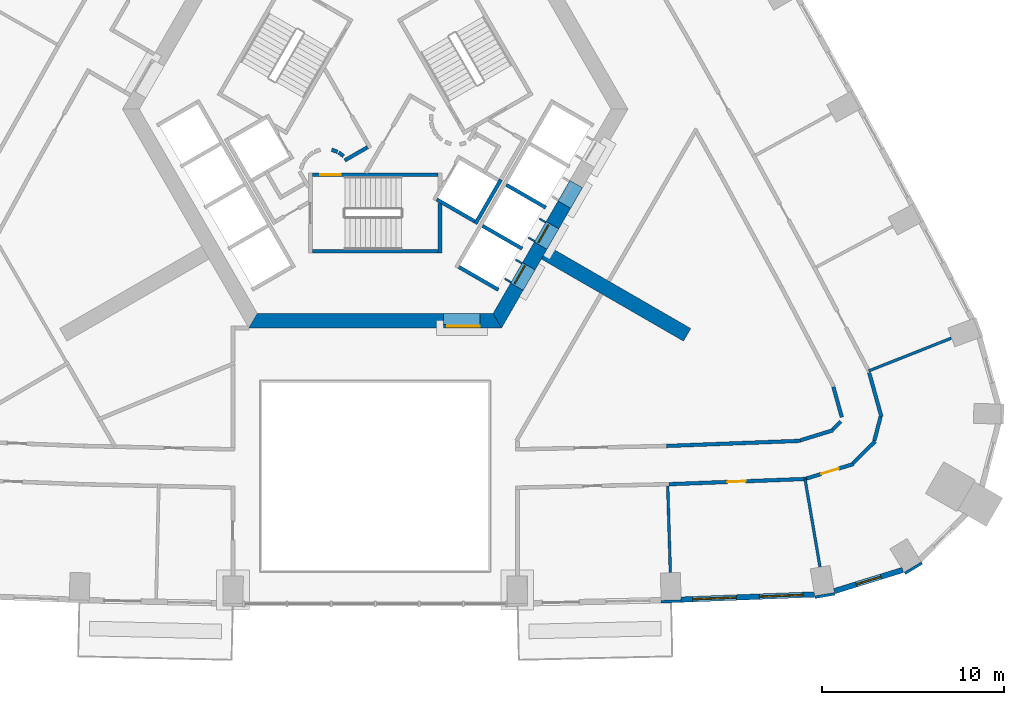
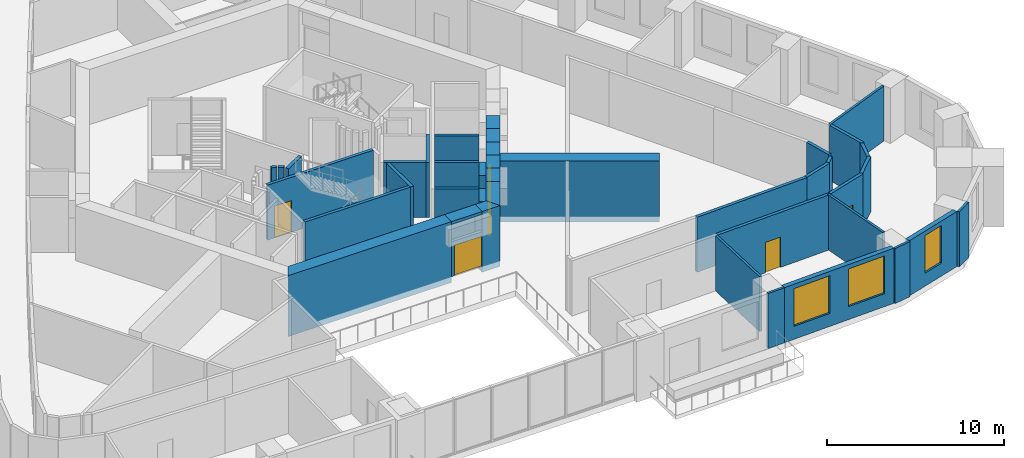
# One storey, part 6 of 12: 41 walls, 6 doors, 3 windows, 9 openings.
"""IFC4 building model written with IfcOpenShell, lengths in metres."""

from ifc_helpers import new_model, si_unit, direction, frame, frame_2d, origin, place, context, subcontext, project, spatial, polyline, rectangle, outline, extrude, material, layer, layer_set, type_object, element, fill, save


model = new_model("IFC4")

# Units and contexts
model_context = context("Model", 3, precision=1e-05, world=origin(), true_north=direction((0.0, 1.0)))
body_context = subcontext(model_context, "Body", "Model", "MODEL_VIEW")
ifc_project = project(units=[si_unit("LENGTHUNIT", "METRE"), si_unit("AREAUNIT", "SQUARE_METRE"), si_unit("VOLUMEUNIT", "CUBIC_METRE"), si_unit("PLANEANGLEUNIT", "RADIAN"), si_unit("MASSUNIT", "GRAM", prefix="KILO")], contexts=[model_context])

# Site, building, storey
site_placement = place(None, origin())
site = spatial("IfcSite", under=ifc_project, at=site_placement, CompositionType="ELEMENT")
building_placement = place(site_placement, origin())
building = spatial("IfcBuilding", under=site, at=building_placement, Name="Entoto Arch Interchange Tower", CompositionType="ELEMENT")
storey_placement = place(building_placement, frame((0.0, 0.0, 155.0)))
storey = spatial("IfcBuildingStorey", under=building, at=storey_placement, Name="L34", CompositionType="ELEMENT", Elevation=155.0)

# Wall
ifc_material_1 = material(Name="Concrete C50/60", Category="concrete")
ifc_layer_1 = layer(ifc_material_1, 0.800048828125)
ifc_layer_set_1 = layer_set([ifc_layer_1], Name="Concrete C50/60")
wall_type_1 = type_object("IfcWallType", Name="Buttress wall 800 C50/60", PredefinedType="SHEAR", material=ifc_layer_set_1)
wall_1_placement = place(storey_placement, frame((9.31005859375, -5.375, -0.39990234375), z_axis=(0.0, 0.0, 1.0), x_axis=(0.866017533419, -0.500013631625, 0.0)))
element("IfcWall", 1, at=wall_1_placement, inside=storey, type_object=wall_type_1, Name="Buttress wall SE L34", PredefinedType="SHEAR", context=body_context, shape_type="SweptSolid", body=[
    extrude(rectangle(XDim=8.999755859375, YDim=0.800048828125, at=frame_2d((4.5, 0.0))), origin(), (0.0, 0.0, 1.0), 4.199951171875),
])

# Wall, opening, door
ifc_material_2 = material(Name="Reinforced concrete C40/50", Category="concrete")
ifc_layer_2 = layer(ifc_material_2, 0.199951171875)
ifc_layer_set_2 = layer_set([ifc_layer_2], Name="Reinforced concrete C40/50")
wall_type_2 = type_object("IfcWallType", Name="CORE GAP INFILL WALL", PredefinedType="PARTITIONING", material=ifc_layer_set_2)
wall_2_placement = place(storey_placement, frame((3.75, -9.39990234375, 0.0), z_axis=(0.0, 0.0, 1.0), x_axis=(1.0, 0.0, 0.0)))
wall_2 = element("IfcWall", 2, at=wall_2_placement, inside=storey, type_object=wall_type_2, Name="wall:L34:gap1", PredefinedType="PARTITIONING", context=body_context, shape_type="SweptSolid", body=[
    extrude(rectangle(XDim=2.0, YDim=0.199951171875, at=frame_2d((1.0, 0.0))), origin(), (0.0, 0.0, 1.0), 2.39990234375),
])
opening_1_placement = place(wall_2_placement, frame((0.18994140625, 0.0, 0.0)))
opening_1 = element("IfcOpeningElement", 3, at=opening_1_placement, cuts=wall_2, Name="Opening L34-D91", PredefinedType="OPENING", context=body_context, shape_type="SweptSolid", body=[
    extrude(rectangle(XDim=1.800048828125, YDim=2.10009765625, at=frame_2d((0.89990234375, 1.050048828125))), frame((0.0, 0.10986328125, 0.0), z_axis=(0.0, -1.0, 0.0), x_axis=(1.0, 0.0, 0.0)), (0.0, 0.0, 1.0), 0.219970703125),
])
ifc_material_3 = material(Name="Fire-rated Steel S235 door and frame", Category="steel")
door_type_1 = type_object("IfcDoorType", Name="DOOR FD-18 1800x2100", OperationType="DOUBLE_DOOR_SINGLE_SWING", PredefinedType="DOOR", material=ifc_material_3)
door_1_placement = place(opening_1_placement, origin())
door_1 = element("IfcDoor", 4, at=door_1_placement, inside=storey, type_object=door_type_1, Name="door:L34:gap1", OperationType="DOUBLE_DOOR_SINGLE_SWING", OverallHeight=2.10009765625, OverallWidth=1.800048828125, PredefinedType="DOOR", context=body_context, shape_type="SweptSolid", body=[
    extrude(rectangle(XDim=1.800048828125, YDim=2.10009765625, at=frame_2d((0.89990234375, 1.050048828125))), frame((0.0, 0.02490234375, 0.0), z_axis=(0.0, -1.0, 0.0), x_axis=(1.0, 0.0, 0.0)), (0.0, 0.0, 1.0), 0.050048828125),
])
fill(opening_1, door_1)

# Walls
ifc_layer_3 = layer(ifc_material_1, 0.800048828125)
ifc_layer_set_3 = layer_set([ifc_layer_3], Name="Concrete C50/60")
wall_type_3 = type_object("IfcWallType", Name="Core wall 800 C50/60", PredefinedType="SHEAR", material=ifc_layer_set_3)
wall_3_placement = place(storey_placement, frame((0.0, 0.0, -0.39990234375)))
element("IfcWall", 5, at=wall_3_placement, inside=storey, type_object=wall_type_3, Name="Core wall S L34", PredefinedType="SHEAR", context=body_context, shape_type="SweptSolid", body=[
    extrude(outline(polyline([(3.75, -9.5), (3.75, -8.699951171875), (-6.466064453125, -8.699951171875), (-6.927978515625, -9.5), (3.75, -9.5)])), origin(), (0.0, 0.0, 1.0), 4.199951171875),
])
wall_4_placement = place(storey_placement, frame((0.0, 0.0, -0.39990234375)))
element("IfcWall", 6, at=wall_4_placement, inside=storey, type_object=wall_type_3, Name="Core wall S L34", PredefinedType="SHEAR", context=body_context, shape_type="SweptSolid", body=[
    extrude(outline(polyline([(5.75, -8.699951171875), (5.75, -9.5), (6.927978515625, -9.5), (6.466064453125, -8.699951171875), (5.75, -8.699951171875)])), origin(), (0.0, 0.0, 1.0), 4.199951171875),
])
wall_5_placement = place(storey_placement, frame((0.0, 0.0, 3.60009765625)))
element("IfcWall", 7, at=wall_5_placement, inside=storey, type_object=wall_type_3, Name="Core wall lintel S L34", PredefinedType="SHEAR", context=body_context, shape_type="SweptSolid", body=[
    extrude(outline(polyline([(5.75, -9.5), (5.75, -8.699951171875), (3.75, -8.699951171875), (3.75, -9.5), (5.75, -9.5)])), origin(), (0.0, 0.0, 1.0), 0.199951171875),
])
wall_6_placement = place(storey_placement, frame((0.0, 0.0, -0.39990234375)))
element("IfcWall", 8, at=wall_6_placement, inside=storey, type_object=wall_type_3, Name="Core wall SE L34", PredefinedType="SHEAR", context=body_context, shape_type="SweptSolid", body=[
    extrude(outline(polyline([(8.116943359375, -7.43994140625), (7.424072265625, -7.0400390625), (6.466064453125, -8.699951171875), (6.927978515625, -9.5), (8.116943359375, -7.43994140625)])), origin(), (0.0, 0.0, 1.0), 4.199951171875),
])
wall_7_placement = place(storey_placement, frame((0.0, 0.0, -0.39990234375)))
element("IfcWall", 9, at=wall_7_placement, inside=storey, type_object=wall_type_3, Name="Core wall SE L34", PredefinedType="SHEAR", context=body_context, shape_type="SweptSolid", body=[
    extrude(outline(polyline([(9.4169921875, -5.18896484375), (8.72412109375, -4.7890625), (8.074951171875, -5.9140625), (8.76708984375, -6.31396484375), (9.4169921875, -5.18896484375)])), origin(), (0.0, 0.0, 1.0), 4.199951171875),
])
wall_8_placement = place(storey_placement, frame((0.0, 0.0, -0.39990234375)))
element("IfcWall", 10, at=wall_8_placement, inside=storey, type_object=wall_type_3, Name="Core wall SE L34", PredefinedType="SHEAR", context=body_context, shape_type="SweptSolid", body=[
    extrude(outline(polyline([(10.717041015625, -2.93701171875), (10.02490234375, -2.537109375), (9.3740234375, -3.6630859375), (10.06689453125, -4.06298828125), (10.717041015625, -2.93701171875)])), origin(), (0.0, 0.0, 1.0), 4.199951171875),
])
wall_9_placement = place(storey_placement, frame((0.0, 0.0, 3.60009765625)))
element("IfcWall", 11, at=wall_9_placement, inside=storey, type_object=wall_type_3, Name="Core wall lintel SE L34", PredefinedType="SHEAR", context=body_context, shape_type="SweptSolid", body=[
    extrude(outline(polyline([(8.76708984375, -6.31396484375), (8.074951171875, -5.9140625), (7.424072265625, -7.0400390625), (8.116943359375, -7.43994140625), (8.76708984375, -6.31396484375)])), origin(), (0.0, 0.0, 1.0), 0.199951171875),
])
wall_10_placement = place(storey_placement, frame((0.0, 0.0, 3.60009765625)))
element("IfcWall", 12, at=wall_10_placement, inside=storey, type_object=wall_type_3, Name="Core wall lintel SE L34", PredefinedType="SHEAR", context=body_context, shape_type="SweptSolid", body=[
    extrude(outline(polyline([(10.06689453125, -4.06298828125), (9.3740234375, -3.6630859375), (8.72412109375, -4.7890625), (9.4169921875, -5.18896484375), (10.06689453125, -4.06298828125)])), origin(), (0.0, 0.0, 1.0), 0.199951171875),
])
wall_11_placement = place(storey_placement, frame((0.0, 0.0, 3.60009765625)))
element("IfcWall", 13, at=wall_11_placement, inside=storey, type_object=wall_type_3, Name="Core wall lintel SE L34", PredefinedType="SHEAR", context=body_context, shape_type="SweptSolid", body=[
    extrude(outline(polyline([(11.366943359375, -1.81103515625), (10.675048828125, -1.410888671875), (10.02490234375, -2.537109375), (10.717041015625, -2.93701171875), (11.366943359375, -1.81103515625)])), origin(), (0.0, 0.0, 1.0), 0.199951171875),
])

# Wall, opening, door
ifc_material_4 = material(Name="Concrete C40/50", Category="concrete")
ifc_layer_4 = layer(ifc_material_4, 1.199951171875)
ifc_layer_set_4 = layer_set([ifc_layer_4], Name="Concrete C40/50")
wall_type_4 = type_object("IfcWallType", Name="LIFT LANDING INFILL WALL", PredefinedType="STANDARD", material=ifc_layer_set_4)
wall_12_placement = place(storey_placement, frame((7.597900390625, -7.139892578125, 0.0), z_axis=(0.0, 0.0, 1.0), x_axis=(0.500362116554, 0.865816234728, 0.0)))
wall_12 = element("IfcWall", 14, at=wall_12_placement, inside=storey, type_object=wall_type_4, Name="Lift landing infill wall LR5 L34", PredefinedType="STANDARD", context=body_context, shape_type="SweptSolid", body=[
    extrude(rectangle(XDim=1.29931640625, YDim=1.199951171875, at=frame_2d((0.649658203125, 0.0))), origin(), (0.0, 0.0, 1.0), 2.39990234375),
])
opening_2_placement = place(wall_12_placement, frame((0.10009765625, 0.0, 0.0)))
opening_2 = element("IfcOpeningElement", 15, at=opening_2_placement, cuts=wall_12, Name="Opening LD-LR5-L34", PredefinedType="OPENING", context=body_context, shape_type="SweptSolid", body=[
    extrude(rectangle(XDim=1.10009765625, YDim=2.300048828125, at=frame_2d((0.550048828125, 1.14990234375))), frame((0.0, 0.60986328125, 0.0), z_axis=(0.0, -1.0, 0.0), x_axis=(1.0, 0.0, 0.0)), (0.0, 0.0, 1.0), 1.219970703125),
])
ifc_material_5 = material(Name="Stainless steel 1.4301 panels", Category="steel")
door_type_2 = type_object("IfcDoorType", Name="LIFT LANDING DOOR LD2 1100x2300", OperationType="SLIDING_TO_LEFT", PredefinedType="DOOR", material=ifc_material_5)
door_2_placement = place(opening_2_placement, origin())
door_2 = element("IfcDoor", 16, at=door_2_placement, inside=storey, type_object=door_type_2, Name="Lift landing door LR5 L34", OperationType="SLIDING_TO_LEFT", OverallHeight=2.300048828125, OverallWidth=1.10009765625, PredefinedType="DOOR", context=body_context, shape_type="SweptSolid", body=[
    extrude(rectangle(XDim=1.10009765625, YDim=2.300048828125, at=frame_2d((0.550048828125, 1.14990234375))), frame((0.0, 0.02490234375, 0.0), z_axis=(0.0, -1.0, 0.0), x_axis=(1.0, 0.0, 0.0)), (0.0, 0.0, 1.0), 0.050048828125),
])
fill(opening_2, door_2)

wall_13_placement = place(storey_placement, frame((8.89794921875, -4.888916015625, 0.0), z_axis=(0.0, 0.0, 1.0), x_axis=(0.500036693733, 0.866004217611, 0.0)))
wall_13 = element("IfcWall", 17, at=wall_13_placement, inside=storey, type_object=wall_type_4, Name="Lift landing infill wall LR6 L34", PredefinedType="STANDARD", context=body_context, shape_type="SweptSolid", body=[
    extrude(rectangle(XDim=1.30029296875, YDim=1.199951171875, at=frame_2d((0.650146484375, 0.0))), origin(), (0.0, 0.0, 1.0), 2.39990234375),
])
opening_3_placement = place(wall_13_placement, frame((0.10009765625, 0.0, 0.0)))
opening_3 = element("IfcOpeningElement", 18, at=opening_3_placement, cuts=wall_13, Name="Opening LD-LR6-L34", PredefinedType="OPENING", context=body_context, shape_type="SweptSolid", body=[
    extrude(rectangle(XDim=1.10009765625, YDim=2.300048828125, at=frame_2d((0.550048828125, 1.14990234375))), frame((0.0, 0.60986328125, 0.0), z_axis=(0.0, -1.0, 0.0), x_axis=(1.0, 0.0, 0.0)), (0.0, 0.0, 1.0), 1.219970703125),
])
door_3_placement = place(opening_3_placement, origin())
door_3 = element("IfcDoor", 19, at=door_3_placement, inside=storey, type_object=door_type_2, Name="Lift landing door LR6 L34", OperationType="SLIDING_TO_LEFT", OverallHeight=2.300048828125, OverallWidth=1.10009765625, PredefinedType="DOOR", context=body_context, shape_type="SweptSolid", body=[
    extrude(rectangle(XDim=1.10009765625, YDim=2.300048828125, at=frame_2d((0.550048828125, 1.14990234375))), frame((0.0, 0.02490234375, 0.0), z_axis=(0.0, -1.0, 0.0), x_axis=(1.0, 0.0, 0.0)), (0.0, 0.0, 1.0), 0.050048828125),
])
fill(opening_3, door_3)

# Walls
ifc_layer_5 = layer(ifc_material_4, 0.199951171875)
ifc_layer_set_5 = layer_set([ifc_layer_5], Name="Concrete C40/50")
wall_type_5 = type_object("IfcWallType", Name="LIFT SHAFT WALL 200", PredefinedType="STANDARD", material=ifc_layer_set_5)
wall_14_placement = place(storey_placement, frame((5.491943359375, -3.7880859375, 0.0), z_axis=(0.0, 0.0, 1.0), x_axis=(0.500011755427, 0.866018616679, 0.0)))
element("IfcWall", 20, at=wall_14_placement, inside=storey, type_object=wall_type_5, Name="Shaft wall SE1 back", PredefinedType="STANDARD", context=body_context, shape_type="SweptSolid", body=[
    extrude(rectangle(XDim=2.80029296875, YDim=0.199951171875, at=frame_2d((1.400146484375, 0.0))), origin(), (0.0, 0.0, 1.0), 3.800048828125),
])
wall_15_placement = place(storey_placement, frame((3.376953125, -2.451904296875, 0.0), z_axis=(0.0, 0.0, 1.0), x_axis=(0.865955154139, -0.50012165622, 0.0)))
element("IfcWall", 21, at=wall_15_placement, inside=storey, type_object=wall_type_5, Name="Shaft wall SE1 cross 1", PredefinedType="STANDARD", context=body_context, shape_type="SweptSolid", body=[
    extrude(rectangle(XDim=2.39990234375, YDim=0.199951171875, at=frame_2d((1.199951171875, 0.0))), origin(), (0.0, 0.0, 1.0), 3.800048828125),
])
for number, where, z_axis, x_axis, name in (
    (22, (4.587890625, -6.153076171875, 0.0), (0.0, 0.0, 1.0), (0.866022959057, -0.500004234368, 0.0), "Shaft wall SE3 cross 1"),
    (23, (5.887939453125, -3.902099609375, 0.0), (0.0, 0.0, 1.0), (0.866022959057, -0.500004234368, 0.0), "Shaft wall SE3 cross 2"),
    (24, (7.18798828125, -1.64990234375, 0.0), (0.0, 0.0, 1.0), (0.866022959057, -0.500004234368, 0.0), "Shaft wall SE3 cross 3"),
):
    element("IfcWall", number, at=place(storey_placement, frame(where, z_axis=z_axis, x_axis=x_axis)), inside=storey, type_object=wall_type_5, Name=name, PredefinedType="STANDARD", context=body_context, shape_type="SweptSolid", body=[
        extrude(rectangle(XDim=2.5, YDim=0.199951171875, at=frame_2d((1.25, 0.0))), origin(), (0.0, 0.0, 1.0), 3.800048828125),
    ])
ifc_material_6 = material(Name="Gypsum board partition on steel studs", Category="steel")
ifc_layer_6 = layer(ifc_material_6, 0.14990234375)
ifc_layer_set_6 = layer_set([ifc_layer_6], Name="Gypsum board partition on steel studs")
wall_type_6 = type_object("IfcWallType", Name="PARTITION 150", PredefinedType="PARTITIONING", material=ifc_layer_set_6)
wall_16_placement = place(storey_placement, frame((16.0390625, -18.1689453125, 0.0), z_axis=(0.0, 0.0, 1.0), x_axis=(0.030457921157, -0.999536049895, 0.0)))
element("IfcWall", 25, at=wall_16_placement, inside=storey, type_object=wall_type_6, Name="wall:L34:p123", PredefinedType="PARTITIONING", context=body_context, shape_type="SweptSolid", body=[
    extrude(rectangle(XDim=4.729248046875, YDim=0.14990234375, at=frame_2d((2.36474609375, 0.0))), origin(), (0.0, 0.0, 1.0), 3.800048828125),
])
wall_17_placement = place(storey_placement, frame((23.56689453125, -17.779052734375, 0.0), z_axis=(0.0, 0.0, 1.0), x_axis=(0.168027663896, -0.985782280306, 0.0)))
element("IfcWall", 26, at=wall_17_placement, inside=storey, type_object=wall_type_6, Name="wall:L34:p124", PredefinedType="PARTITIONING", context=body_context, shape_type="SweptSolid", body=[
    extrude(rectangle(XDim=4.886474609375, YDim=0.14990234375, at=frame_2d((2.443359375, 0.0))), origin(), (0.0, 0.0, 1.0), 3.800048828125),
])
wall_18_placement = place(storey_placement, frame((27.05908203125, -11.85498046875, 0.0), z_axis=(0.0, 0.0, 1.0), x_axis=(0.92964843089, 0.368447818481, 0.0)))
element("IfcWall", 27, at=wall_18_placement, inside=storey, type_object=wall_type_6, Name="wall:L34:p125", PredefinedType="PARTITIONING", context=body_context, shape_type="SweptSolid", body=[
    extrude(rectangle(XDim=4.8662109375, YDim=0.14990234375, at=frame_2d((2.43310546875, 0.0))), origin(), (0.0, 0.0, 1.0), 3.800048828125),
])
ifc_layer_7 = layer(ifc_material_6, 0.199951171875)
ifc_layer_set_7 = layer_set([ifc_layer_7], Name="Gypsum board partition on steel studs")
wall_type_7 = type_object("IfcWallType", Name="PARTITION 200", PredefinedType="PARTITIONING", material=ifc_layer_set_7)
wall_19_placement = place(storey_placement, frame((15.971923828125, -15.969970703125, 0.0), z_axis=(0.0, 0.0, 1.0), x_axis=(0.999262695969, 0.038393546916, 0.0)))
element("IfcWall", 28, at=wall_19_placement, inside=storey, type_object=wall_type_7, Name="wall:L34:p021", PredefinedType="PARTITIONING", context=body_context, shape_type="SweptSolid", body=[
    extrude(rectangle(XDim=7.344482421875, YDim=0.199951171875, at=frame_2d((3.67236328125, 0.0))), origin(), (0.0, 0.0, 1.0), 3.800048828125),
])
wall_20_placement = place(storey_placement, frame((23.306884765625, -15.662109375, 0.0), z_axis=(0.0, 0.0, 1.0), x_axis=(0.955548436851, 0.294834164966, 0.0)))
element("IfcWall", 29, at=wall_20_placement, inside=storey, type_object=wall_type_7, Name="wall:L34:p022", PredefinedType="PARTITIONING", context=body_context, shape_type="SweptSolid", body=[
    extrude(rectangle(XDim=1.879638671875, YDim=0.199951171875, at=frame_2d((0.93994140625, 0.0))), origin(), (0.0, 0.0, 1.0), 3.800048828125),
])
wall_21_placement = place(storey_placement, frame((25.0791015625, -15.06689453125, 0.0), z_axis=(0.0, 0.0, 1.0), x_axis=(0.711758647644, 0.702424108003, 0.0)))
element("IfcWall", 30, at=wall_21_placement, inside=storey, type_object=wall_type_7, Name="wall:L34:p023", PredefinedType="PARTITIONING", context=body_context, shape_type="SweptSolid", body=[
    extrude(rectangle(XDim=0.627685546875, YDim=0.199951171875, at=frame_2d((0.31396484375, 0.0))), origin(), (0.0, 0.0, 1.0), 3.800048828125),
])
wall_22_placement = place(storey_placement, frame((25.5859375, -14.39306640625, 0.0), z_axis=(0.0, 0.0, 1.0), x_axis=(-0.268139825244, 0.963380005044, 0.0)))
element("IfcWall", 31, at=wall_22_placement, inside=storey, type_object=wall_type_7, Name="wall:L34:p024", PredefinedType="PARTITIONING", context=body_context, shape_type="SweptSolid", body=[
    extrude(rectangle(XDim=1.726318359375, YDim=0.199951171875, at=frame_2d((0.86328125, 0.0))), origin(), (0.0, 0.0, 1.0), 3.800048828125),
])

# Wall, opening, door
wall_23_placement = place(storey_placement, frame((23.6669921875, -17.77587890625, 0.0), z_axis=(0.0, 0.0, 1.0), x_axis=(-0.999264080977, -0.038357482575, 0.0)))
wall_23 = element("IfcWall", 32, at=wall_23_placement, inside=storey, type_object=wall_type_7, Name="wall:L34:p041", PredefinedType="PARTITIONING", context=body_context, shape_type="SweptSolid", body=[
    extrude(rectangle(XDim=7.5615234375, YDim=0.199951171875, at=frame_2d((3.78076171875, 0.0))), origin(), (0.0, 0.0, 1.0), 3.800048828125),
])
opening_4_placement = place(wall_23_placement, frame((3.35595703125, 0.0, 0.0)))
opening_4 = element("IfcOpeningElement", 33, at=opening_4_placement, cuts=wall_23, Name="Opening L34-D02", PredefinedType="OPENING", context=body_context, shape_type="SweptSolid", body=[
    extrude(rectangle(XDim=1.0, YDim=2.10009765625, at=frame_2d((0.5, 1.050048828125))), frame((0.0, 0.10986328125, 0.0), z_axis=(0.0, -1.0, 0.0), x_axis=(1.0, 0.0, 0.0)), (0.0, 0.0, 1.0), 0.219970703125),
])
ifc_material_7 = material(Name="Timber door leaf in Steel S235 frame", Category="steel")
door_type_3 = type_object("IfcDoorType", Name="DOOR DS-10 1000x2100", OperationType="SINGLE_SWING_LEFT", PredefinedType="DOOR", material=ifc_material_7)
door_4_placement = place(opening_4_placement, origin())
door_4 = element("IfcDoor", 34, at=door_4_placement, inside=storey, type_object=door_type_3, Name="door:L34:02", OperationType="SINGLE_SWING_LEFT", OverallHeight=2.10009765625, OverallWidth=1.0, PredefinedType="DOOR", context=body_context, shape_type="SweptSolid", body=[
    extrude(rectangle(XDim=1.0, YDim=2.10009765625, at=frame_2d((0.5, 1.050048828125))), frame((0.0, 0.02490234375, 0.0), z_axis=(0.0, -1.0, 0.0), x_axis=(1.0, 0.0, 0.0)), (0.0, 0.0, 1.0), 0.050048828125),
])
fill(opening_4, door_4)

# Walls
wall_24_placement = place(storey_placement, frame((27.0859375, -11.951904296875, 0.0), z_axis=(0.0, 0.0, 1.0), x_axis=(0.267909096687, -0.963444194498, 0.0)))
element("IfcWall", 35, at=wall_24_placement, inside=storey, type_object=wall_type_7, Name="wall:L34:p042", PredefinedType="PARTITIONING", context=body_context, shape_type="SweptSolid", body=[
    extrude(rectangle(XDim=2.51611328125, YDim=0.199951171875, at=frame_2d((1.258056640625, 0.0))), origin(), (0.0, 0.0, 1.0), 3.800048828125),
])
wall_25_placement = place(storey_placement, frame((27.7080078125, -14.3759765625, 0.0), z_axis=(0.0, 0.0, 1.0), x_axis=(-0.25159336549, -0.967833032316, 0.0)))
element("IfcWall", 36, at=wall_25_placement, inside=storey, type_object=wall_type_7, Name="wall:L34:p043", PredefinedType="PARTITIONING", context=body_context, shape_type="SweptSolid", body=[
    extrude(rectangle(XDim=1.355712890625, YDim=0.199951171875, at=frame_2d((0.677734375, 0.0))), origin(), (0.0, 0.0, 1.0), 3.800048828125),
])
wall_26_placement = place(storey_placement, frame((27.4130859375, -15.715087890625, 0.0), z_axis=(0.0, 0.0, 1.0), x_axis=(-0.712339678389, -0.701834868465, 0.0)))
element("IfcWall", 37, at=wall_26_placement, inside=storey, type_object=wall_type_7, Name="wall:L34:p044", PredefinedType="PARTITIONING", context=body_context, shape_type="SweptSolid", body=[
    extrude(rectangle(XDim=1.7197265625, YDim=0.199951171875, at=frame_2d((0.85986328125, 0.0))), origin(), (0.0, 0.0, 1.0), 3.800048828125),
])

# Wall, opening, door
wall_27_placement = place(storey_placement, frame((26.212890625, -16.962890625, 0.0), z_axis=(0.0, 0.0, 1.0), x_axis=(-0.955509582123, -0.294960062501, 0.0)))
wall_27 = element("IfcWall", 38, at=wall_27_placement, inside=storey, type_object=wall_type_7, Name="wall:L34:p045", PredefinedType="PARTITIONING", context=body_context, shape_type="SweptSolid", body=[
    extrude(rectangle(XDim=2.66845703125, YDim=0.199951171875, at=frame_2d((1.334228515625, 0.0))), origin(), (0.0, 0.0, 1.0), 3.800048828125),
])
opening_5_placement = place(wall_27_placement, frame((0.833984375, 0.0, 0.0)))
opening_5 = element("IfcOpeningElement", 39, at=opening_5_placement, cuts=wall_27, Name="Opening L34-D03", PredefinedType="OPENING", context=body_context, shape_type="SweptSolid", body=[
    extrude(rectangle(XDim=1.0, YDim=2.10009765625, at=frame_2d((0.5, 1.050048828125))), frame((0.0, 0.10986328125, 0.0), z_axis=(0.0, -1.0, 0.0), x_axis=(1.0, 0.0, 0.0)), (0.0, 0.0, 1.0), 0.219970703125),
])
door_5_placement = place(opening_5_placement, origin())
door_5 = element("IfcDoor", 40, at=door_5_placement, inside=storey, type_object=door_type_3, Name="door:L34:03", OperationType="SINGLE_SWING_LEFT", OverallHeight=2.10009765625, OverallWidth=1.0, PredefinedType="DOOR", context=body_context, shape_type="SweptSolid", body=[
    extrude(rectangle(XDim=1.0, YDim=2.10009765625, at=frame_2d((0.5, 1.050048828125))), frame((0.0, 0.02490234375, 0.0), z_axis=(0.0, -1.0, 0.0), x_axis=(1.0, 0.0, 0.0)), (0.0, 0.0, 1.0), 0.050048828125),
])
fill(opening_5, door_5)

# Walls
wall_28_placement = place(storey_placement, frame((-0.412109375, 0.4140625, 0.0), z_axis=(0.0, 0.0, 1.0), x_axis=(-0.866017369001, -0.500013916395, 0.0)))
element("IfcWall", 41, at=wall_28_placement, inside=storey, type_object=wall_type_7, Name="wall:L34:p097", PredefinedType="PARTITIONING", context=body_context, shape_type="SweptSolid", body=[
    extrude(rectangle(XDim=1.4501953125, YDim=0.199951171875, at=frame_2d((0.72509765625, 0.0))), origin(), (0.0, 0.0, 1.0), 3.800048828125),
])
wall_29_placement = place(storey_placement, frame((-1.73095703125, -0.076904296875, 0.0), z_axis=(0.0, 0.0, 1.0), x_axis=(-0.804311165252, 0.594208338422, 0.0)))
element("IfcWall", 42, at=wall_29_placement, inside=storey, type_object=wall_type_7, Name="wall:L34:p098", PredefinedType="PARTITIONING", context=body_context, shape_type="SweptSolid", body=[
    extrude(rectangle(XDim=0.338134765625, YDim=0.199951171875, at=frame_2d((0.1689453125, 0.0))), origin(), (0.0, 0.0, 1.0), 3.800048828125),
])
wall_30_placement = place(storey_placement, frame((-2.070068359375, 0.159912109375, 0.0), z_axis=(0.0, 0.0, 1.0), x_axis=(-0.942199461132, 0.335052496547, 0.0)))
element("IfcWall", 43, at=wall_30_placement, inside=storey, type_object=wall_type_7, Name="wall:L34:p099", PredefinedType="PARTITIONING", context=body_context, shape_type="SweptSolid", body=[
    extrude(rectangle(XDim=0.33740234375, YDim=0.199951171875, at=frame_2d((0.168701171875, 0.0))), origin(), (0.0, 0.0, 1.0), 3.800048828125),
])
ifc_layer_8 = layer(ifc_material_4, 0.199951171875)
ifc_layer_set_8 = layer_set([ifc_layer_8], Name="Concrete C40/50")
wall_type_8 = type_object("IfcWallType", Name="STAIR ENCLOSURE WALL 200", PredefinedType="STANDARD", material=ifc_layer_set_8)
wall_31_placement = place(storey_placement, frame((3.550048828125, -2.6669921875, 0.0), z_axis=(0.0, 0.0, 1.0), x_axis=(0.0, -1.0, 0.0)))
element("IfcWall", 44, at=wall_31_placement, inside=storey, type_object=wall_type_8, Name="Stair wall ST-S far", PredefinedType="STANDARD", context=body_context, shape_type="SweptSolid", body=[
    extrude(rectangle(XDim=2.73291015625, YDim=0.199951171875, at=frame_2d((1.366455078125, 0.0))), origin(), (0.0, 0.0, 1.0), 3.800048828125),
])

# Wall, opening, door
wall_32_placement = place(storey_placement, frame((-3.449951171875, -1.10009765625, 0.0), z_axis=(0.0, 0.0, 1.0), x_axis=(1.0, 0.0, 0.0)))
wall_32 = element("IfcWall", 45, at=wall_32_placement, inside=storey, type_object=wall_type_8, Name="Stair wall ST-S hall", PredefinedType="STANDARD", context=body_context, shape_type="SweptSolid", body=[
    extrude(rectangle(XDim=6.89990234375, YDim=0.199951171875, at=frame_2d((3.449951171875, 0.0))), origin(), (0.0, 0.0, 1.0), 3.800048828125),
])
opening_6_placement = place(wall_32_placement, frame((0.449951171875, 0.0, 0.0)))
opening_6 = element("IfcOpeningElement", 46, at=opening_6_placement, cuts=wall_32, Name="Opening SD-ST-S-L34", PredefinedType="OPENING", context=body_context, shape_type="SweptSolid", body=[
    extrude(rectangle(XDim=1.10009765625, YDim=2.199951171875, at=frame_2d((0.550048828125, 1.10009765625))), frame((0.0, 0.10986328125, 0.0), z_axis=(0.0, -1.0, 0.0), x_axis=(1.0, 0.0, 0.0)), (0.0, 0.0, 1.0), 0.219970703125),
])
ifc_material_8 = material(Name="Steel S235", Category="steel")
door_type_4 = type_object("IfcDoorType", Name="STAIR DOOR SD1 1100x2200", OperationType="SINGLE_SWING_LEFT", PredefinedType="DOOR", material=ifc_material_8)
door_6_placement = place(opening_6_placement, origin())
door_6 = element("IfcDoor", 47, at=door_6_placement, inside=storey, type_object=door_type_4, Name="Stair door ST-S L34", OperationType="SINGLE_SWING_LEFT", OverallHeight=2.199951171875, OverallWidth=1.10009765625, PredefinedType="DOOR", context=body_context, shape_type="SweptSolid", body=[
    extrude(rectangle(XDim=1.10009765625, YDim=2.199951171875, at=frame_2d((0.550048828125, 1.10009765625))), frame((0.0, 0.02490234375, 0.0), z_axis=(0.0, -1.0, 0.0), x_axis=(1.0, 0.0, 0.0)), (0.0, 0.0, 1.0), 0.050048828125),
])
fill(opening_6, door_6)

# Wall
wall_33_placement = place(storey_placement, frame((-3.449951171875, -5.300048828125, 0.0), z_axis=(0.0, 0.0, 1.0), x_axis=(1.0, 0.0, 0.0)))
element("IfcWall", 48, at=wall_33_placement, inside=storey, type_object=wall_type_8, Name="Stair wall ST-S back", PredefinedType="STANDARD", context=body_context, shape_type="SweptSolid", body=[
    extrude(rectangle(XDim=6.89990234375, YDim=0.199951171875, at=frame_2d((3.449951171875, 0.0))), origin(), (0.0, 0.0, 1.0), 3.800048828125),
])

# Wall, openings, windows
ifc_material_9 = material(Name="Welded tuff (ignimbrite) cladding, warm buff", Category="masonry")
ifc_layer_9 = layer(ifc_material_9, 0.300048828125)
ifc_layer_set_9 = layer_set([ifc_layer_9], Name="Welded tuff (ignimbrite) cladding, warm buff")
wall_type_9 = type_object("IfcWallType", Name="STONE INFILL WALL 300", PredefinedType="STANDARD", material=ifc_layer_set_9)
wall_34_placement = place(storey_placement, frame((16.778076171875, -24.39501953125, 0.0), z_axis=(0.0, 0.0, 1.0), x_axis=(0.999262356942, 0.038402369711, 0.0)))
wall_34 = element("IfcWall", 49, at=wall_34_placement, inside=storey, type_object=wall_type_9, Name="Facade wall S-05 L34", PredefinedType="STANDARD", context=body_context, shape_type="SweptSolid", body=[
    extrude(rectangle(XDim=7.3173828125, YDim=0.300048828125, at=frame_2d((3.65869140625, 0.0))), origin(), (0.0, 0.0, 1.0), 3.800048828125),
])
opening_7_placement = place(wall_34_placement, frame((0.62890625, 0.0, 0.89990234375)))
opening_7 = element("IfcOpeningElement", 50, at=opening_7_placement, cuts=wall_34, Name="Opening WO-A", PredefinedType="OPENING", context=body_context, shape_type="SweptSolid", body=[
    extrude(rectangle(XDim=2.39990234375, YDim=2.60009765625, at=frame_2d((1.199951171875, 1.300048828125))), frame((0.0, 0.16015625, 0.0), z_axis=(0.0, -1.0, 0.0), x_axis=(1.0, 0.0, 0.0)), (0.0, 0.0, 1.0), 0.320068359375),
])
opening_8_placement = place(wall_34_placement, frame((4.2880859375, 0.0, 0.89990234375)))
opening_8 = element("IfcOpeningElement", 51, at=opening_8_placement, cuts=wall_34, Name="Opening WO-A", PredefinedType="OPENING", context=body_context, shape_type="SweptSolid", body=[
    extrude(rectangle(XDim=2.39990234375, YDim=2.60009765625, at=frame_2d((1.199951171875, 1.300048828125))), frame((0.0, 0.16015625, 0.0), z_axis=(0.0, -1.0, 0.0), x_axis=(1.0, 0.0, 0.0)), (0.0, 0.0, 1.0), 0.320068359375),
])
ifc_material_10 = material(Name="Clear glass, low-e double glazed", Category="glass")
window_type_1 = type_object("IfcWindowType", Name="WINDOW WO-A 2400x2600", PartitioningType="DOUBLE_PANEL_VERTICAL", PredefinedType="WINDOW", material=ifc_material_10)
window_1_placement = place(opening_7_placement, origin())
window_1 = element("IfcWindow", 52, at=window_1_placement, inside=storey, type_object=window_type_1, Name="Window WO-A S-05 L34", OverallHeight=2.60009765625, OverallWidth=2.39990234375, PartitioningType="SINGLE_PANEL", PredefinedType="WINDOW", context=body_context, shape_type="SweptSolid", body=[
    extrude(rectangle(XDim=2.39990234375, YDim=2.60009765625, at=frame_2d((1.199951171875, 1.300048828125))), frame((0.0, 0.030029296875, 0.0), z_axis=(0.0, -1.0, 0.0), x_axis=(1.0, 0.0, 0.0)), (0.0, 0.0, 1.0), 0.06005859375),
])
fill(opening_7, window_1)
window_2_placement = place(opening_8_placement, origin())
window_2 = element("IfcWindow", 53, at=window_2_placement, inside=storey, type_object=window_type_1, Name="Window WO-A S-05 L34", OverallHeight=2.60009765625, OverallWidth=2.39990234375, PartitioningType="SINGLE_PANEL", PredefinedType="WINDOW", context=body_context, shape_type="SweptSolid", body=[
    extrude(rectangle(XDim=2.39990234375, YDim=2.60009765625, at=frame_2d((1.199951171875, 1.300048828125))), frame((0.0, 0.030029296875, 0.0), z_axis=(0.0, -1.0, 0.0), x_axis=(1.0, 0.0, 0.0)), (0.0, 0.0, 1.0), 0.06005859375),
])
fill(opening_8, window_2)

# Wall, opening, window
wall_35_placement = place(storey_placement, frame((25.173095703125, -23.929931640625, 0.0), z_axis=(0.0, 0.0, 1.0), x_axis=(0.955473661147, 0.295076401723, 0.0)))
wall_35 = element("IfcWall", 54, at=wall_35_placement, inside=storey, type_object=wall_type_9, Name="Facade wall SE-01 L34", PredefinedType="STANDARD", context=body_context, shape_type="SweptSolid", body=[
    extrude(rectangle(XDim=3.930908203125, YDim=0.300048828125, at=frame_2d((1.96533203125, 0.0))), origin(), (0.0, 0.0, 1.0), 3.800048828125),
])
opening_9_placement = place(wall_35_placement, frame((1.26611328125, 0.0, 0.89990234375)))
opening_9 = element("IfcOpeningElement", 55, at=opening_9_placement, cuts=wall_35, Name="Opening WO-B", PredefinedType="OPENING", context=body_context, shape_type="SweptSolid", body=[
    extrude(rectangle(XDim=1.39990234375, YDim=2.60009765625, at=frame_2d((0.699951171875, 1.300048828125))), frame((0.0, 0.16015625, 0.0), z_axis=(0.0, -1.0, 0.0), x_axis=(1.0, 0.0, 0.0)), (0.0, 0.0, 1.0), 0.320068359375),
])
window_type_2 = type_object("IfcWindowType", Name="WINDOW WO-B 1400x2600", PartitioningType="DOUBLE_PANEL_VERTICAL", PredefinedType="WINDOW", material=ifc_material_10)
window_3_placement = place(opening_9_placement, origin())
window_3 = element("IfcWindow", 56, at=window_3_placement, inside=storey, type_object=window_type_2, Name="Window WO-B SE-01 L34", OverallHeight=2.60009765625, OverallWidth=1.39990234375, PartitioningType="SINGLE_PANEL", PredefinedType="WINDOW", context=body_context, shape_type="SweptSolid", body=[
    extrude(rectangle(XDim=1.39990234375, YDim=2.60009765625, at=frame_2d((0.699951171875, 1.300048828125))), frame((0.0, 0.030029296875, 0.0), z_axis=(0.0, -1.0, 0.0), x_axis=(1.0, 0.0, 0.0)), (0.0, 0.0, 1.0), 0.06005859375),
])
fill(opening_9, window_3)

# Walls
ifc_layer_10 = layer(ifc_material_9, 0.14990234375)
ifc_layer_set_10 = layer_set([ifc_layer_10], Name="Welded tuff (ignimbrite) cladding, warm buff")
wall_type_10 = type_object("IfcWallType", Name="STONE PIER CLADDING 150", PredefinedType="STANDARD", material=ifc_layer_set_10)
wall_36_placement = place(storey_placement, frame((15.681884765625, -24.508056640625, 0.0), z_axis=(0.0, 0.0, 1.0), x_axis=(0.999523702549, 0.030860460829, 0.0)))
element("IfcWall", 57, at=wall_36_placement, inside=storey, type_object=wall_type_10, Name="Stone pier S05 L34", PredefinedType="STANDARD", context=body_context, shape_type="SweptSolid", body=[
    extrude(rectangle(XDim=1.099609375, YDim=0.14990234375, at=frame_2d((0.5498046875, 0.0))), origin(), (0.0, 0.0, 1.0), 3.800048828125),
])
wall_37_placement = place(storey_placement, frame((24.114013671875, -24.260986328125, 0.0), z_axis=(0.0, 0.0, 1.0), x_axis=(0.985763338892, 0.168138751323, 0.0)))
element("IfcWall", 58, at=wall_37_placement, inside=storey, type_object=wall_type_10, Name="Stone pier S06 L34", PredefinedType="STANDARD", context=body_context, shape_type="SweptSolid", body=[
    extrude(rectangle(XDim=1.1005859375, YDim=0.14990234375, at=frame_2d((0.55029296875, 0.0))), origin(), (0.0, 0.0, 1.0), 3.800048828125),
])
wall_38_placement = place(storey_placement, frame((29.0419921875, -22.95703125, 0.0), z_axis=(0.0, 0.0, 1.0), x_axis=(0.854005542721, 0.520263907071, 0.0)))
element("IfcWall", 59, at=wall_38_placement, inside=storey, type_object=wall_type_10, Name="Stone pier SE1 L34", PredefinedType="STANDARD", context=body_context, shape_type="SweptSolid", body=[
    extrude(rectangle(XDim=1.099365234375, YDim=0.14990234375, at=frame_2d((0.5498046875, 0.0))), origin(), (0.0, 0.0, 1.0), 3.800048828125),
])

save(model, "model.ifc")
